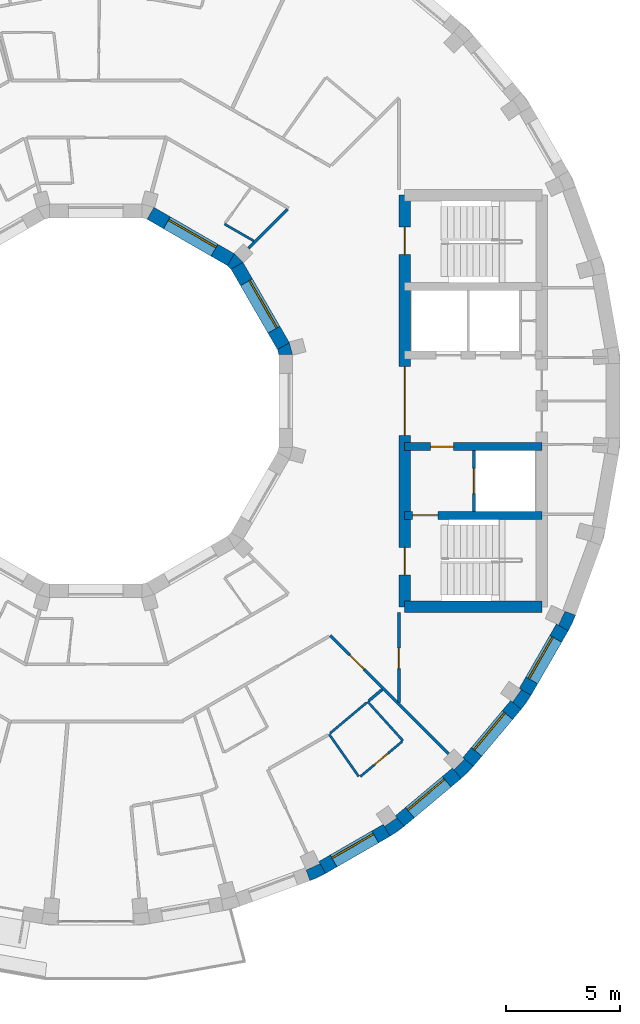
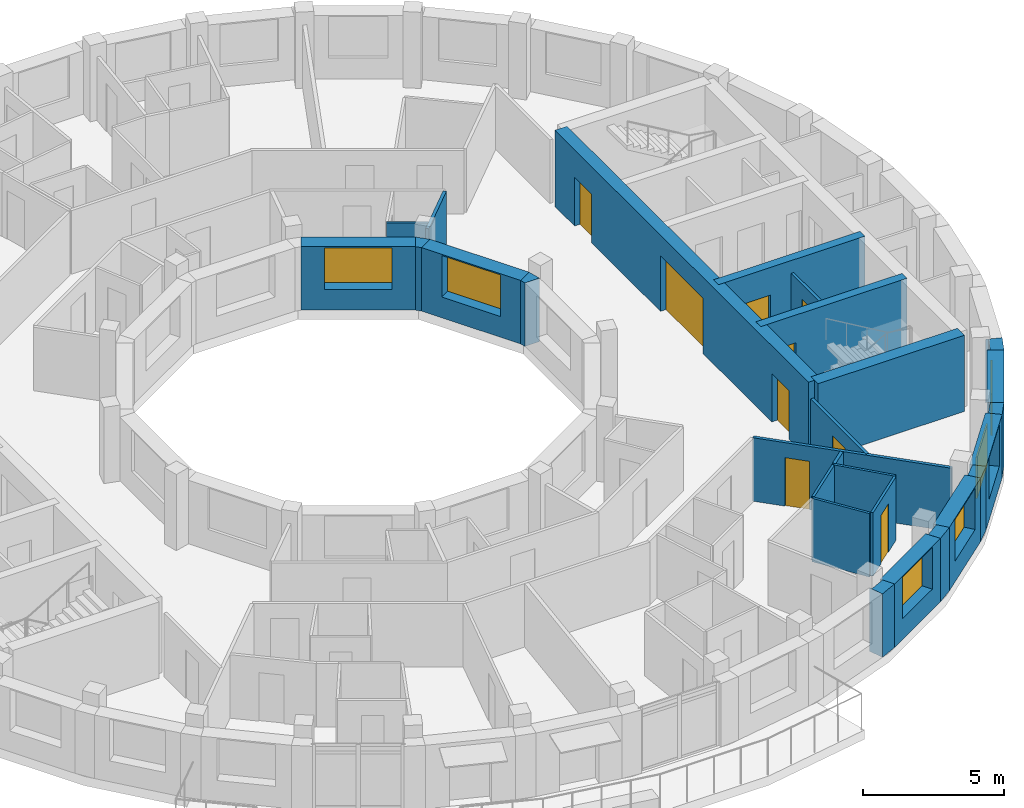
# One storey, part 7 of 12: 27 walls, 9 doors, 6 windows, 15 openings.
"""IFC4 building model written with IfcOpenShell, lengths in metres."""

from ifc_helpers import new_model, si_unit, direction, frame, frame_2d, origin, place, context, subcontext, project, spatial, polyline, rectangle, outline, extrude, material, layer, layer_set, type_object, element, fill, save


model = new_model("IFC4")

# Units and contexts
model_context = context("Model", 3, precision=1e-05, world=origin(), true_north=direction((0.0, 1.0)))
body_context = subcontext(model_context, "Body", "Model", "MODEL_VIEW")
ifc_project = project(units=[si_unit("LENGTHUNIT", "METRE"), si_unit("AREAUNIT", "SQUARE_METRE"), si_unit("VOLUMEUNIT", "CUBIC_METRE"), si_unit("PLANEANGLEUNIT", "RADIAN"), si_unit("MASSUNIT", "GRAM", prefix="KILO")], contexts=[model_context])

# Site, building, storey
site_placement = place(None, origin())
site = spatial("IfcSite", under=ifc_project, at=site_placement, CompositionType="ELEMENT")
building_placement = place(site_placement, origin())
building = spatial("IfcBuilding", under=site, at=building_placement, Name="Saqina Gate Tower", CompositionType="ELEMENT")
storey_placement = place(building_placement, frame((0.0, 0.0, 275.89990234375)))
storey = spatial("IfcBuildingStorey", under=building, at=storey_placement, Name="L79", CompositionType="ELEMENT", Elevation=275.89990234375)

# Walls
ifc_material_1 = material(Name="Brick masonry (buff)", Category="masonry")
wall_type_1 = type_object("IfcWallType", Name="BRICK PIER COPING BUFF", PredefinedType="SOLIDWALL", material=ifc_material_1)
wall_1_placement = place(storey_placement, origin())
element("IfcWall", 1, at=wall_1_placement, inside=storey, type_object=wall_type_1, Name="Pier cap L79 column 30", PredefinedType="SOLIDWALL", context=body_context, shape_type="SweptSolid", body=[
    extrude(outline(polyline([(9.3642578125, -20.974609375), (10.048095703125, -20.65576171875), (9.748291015625, -20.135986328125), (9.79296875, -20.23193359375), (9.203857421875, -20.506591796875), (9.1591796875, -20.410888671875), (9.3642578125, -20.974609375)])), origin(), (0.0, 0.0, 1.0), 2.75),
])
wall_2_placement = place(storey_placement, origin())
element("IfcWall", 2, at=wall_2_placement, inside=storey, type_object=wall_type_1, Name="Pier cap L79 column 31", PredefinedType="SOLIDWALL", context=body_context, shape_type="SweptSolid", body=[
    extrude(outline(polyline([(12.8642578125, -19.02978515625), (13.482421875, -18.59716796875), (13.0966796875, -18.137451171875), (13.157470703125, -18.22412109375), (12.625, -18.596923828125), (12.564208984375, -18.51025390625), (12.8642578125, -19.02978515625)])), origin(), (0.0, 0.0, 1.0), 2.75),
])
wall_3_placement = place(storey_placement, origin())
element("IfcWall", 3, at=wall_3_placement, inside=storey, type_object=wall_type_1, Name="Pier cap L79 column 32", PredefinedType="SOLIDWALL", context=body_context, shape_type="SweptSolid", body=[
    extrude(outline(polyline([(16.5068359375, -15.973388671875), (16.04736328125, -15.587646484375), (16.1220703125, -15.662353515625), (15.662353515625, -16.1220703125), (15.587646484375, -16.04736328125), (15.973388671875, -16.5068359375), (16.5068359375, -15.973388671875)])), origin(), (0.0, 0.0, 1.0), 2.75),
])
wall_4_placement = place(storey_placement, origin())
element("IfcWall", 4, at=wall_4_placement, inside=storey, type_object=wall_type_1, Name="Pier cap L79 column 33", PredefinedType="SOLIDWALL", context=body_context, shape_type="SweptSolid", body=[
    extrude(outline(polyline([(19.02978515625, -12.8642578125), (18.51025390625, -12.564208984375), (18.596923828125, -12.625), (18.22412109375, -13.157470703125), (18.137451171875, -13.0966796875), (18.59716796875, -13.482421875), (19.02978515625, -12.8642578125)])), origin(), (0.0, 0.0, 1.0), 2.75),
])
wall_5_placement = place(storey_placement, origin())
element("IfcWall", 5, at=wall_5_placement, inside=storey, type_object=wall_type_1, Name="Pier cap L79 column 34", PredefinedType="SOLIDWALL", context=body_context, shape_type="SweptSolid", body=[
    extrude(outline(polyline([(20.65576171875, -10.048095703125), (20.974609375, -9.3642578125), (20.410888671875, -9.1591796875), (20.506591796875, -9.203857421875), (20.23193359375, -9.79296875), (20.135986328125, -9.748291015625), (20.65576171875, -10.048095703125)])), origin(), (0.0, 0.0, 1.0), 2.75),
])

# Wall, opening, window
ifc_material_2 = material(Name="Brick masonry (buff)", Category="masonry")
ifc_layer_1 = layer(ifc_material_2, 0.60009765625)
ifc_layer_set_1 = layer_set([ifc_layer_1], Name="FW-BRICK-BUFF")
wall_type_2 = type_object("IfcWallType", Name="FW-BRICK-BUFF", PredefinedType="SOLIDWALL", material=ifc_layer_set_1)
wall_6_placement = place(storey_placement, frame((9.898193359375, -20.39599609375, 0.0), z_axis=(0.0, 0.0, 1.0), x_axis=(0.866016800201, 0.500014901547, 0.0)))
wall_6 = element("IfcWall", 6, at=wall_6_placement, inside=storey, type_object=wall_type_2, Name="Facade wall L79 facet 30", PredefinedType="SOLIDWALL", context=body_context, shape_type="SweptSolid", body=[
    extrude(rectangle(XDim=3.251953125, YDim=0.60009765625, at=frame_2d((1.6259765625, 0.0))), origin(), (0.0, 0.0, 1.0), 2.75),
])
opening_1_placement = place(wall_6_placement, frame((0.57568359375, 0.0, 0.89990234375)))
opening_1 = element("IfcOpeningElement", 7, at=opening_1_placement, cuts=wall_6, Name="Opening G23-W19", PredefinedType="OPENING", context=body_context, shape_type="SweptSolid", body=[
    extrude(rectangle(XDim=2.10009765625, YDim=1.800048828125, at=frame_2d((1.050048828125, 0.89990234375))), frame((0.0, 0.31201171875, 0.0), z_axis=(0.0, -1.0, 0.0), x_axis=(1.0, 0.0, 0.0)), (0.0, 0.0, 1.0), 0.6240234375),
])
ifc_material_3 = material(Name="Aluminium glazing", Category="aluminium")
window_type_1 = type_object("IfcWindowType", Name="WN-D", PartitioningType="SINGLE_PANEL", PredefinedType="WINDOW", material=ifc_material_3)
window_1_placement = place(opening_1_placement, origin())
window_1 = element("IfcWindow", 8, at=window_1_placement, inside=storey, type_object=window_type_1, Name="Window L79 facet 30", OverallHeight=1.800048828125, OverallWidth=2.10009765625, PartitioningType="SINGLE_PANEL", PredefinedType="WINDOW", context=body_context, shape_type="SweptSolid", body=[
    extrude(rectangle(XDim=2.10009765625, YDim=1.800048828125, at=frame_2d((1.050048828125, 0.89990234375))), frame((0.0, 0.179931640625, 0.0), z_axis=(0.0, -1.0, 0.0), x_axis=(1.0, 0.0, 0.0)), (0.0, 0.0, 1.0), 0.06005859375),
])
fill(opening_1, window_1)

wall_7_placement = place(storey_placement, frame((13.28955078125, -18.3671875, 0.0), z_axis=(0.0, 0.0, 1.0), x_axis=(0.766056773982, 0.64277291405, 0.0)))
wall_7 = element("IfcWall", 9, at=wall_7_placement, inside=storey, type_object=wall_type_2, Name="Facade wall L79 facet 31", PredefinedType="SOLIDWALL", context=body_context, shape_type="SweptSolid", body=[
    extrude(rectangle(XDim=3.251708984375, YDim=0.60009765625, at=frame_2d((1.6259765625, 0.0))), origin(), (0.0, 0.0, 1.0), 2.75),
])
opening_2_placement = place(wall_7_placement, frame((0.57568359375, 0.0, 0.89990234375)))
opening_2 = element("IfcOpeningElement", 10, at=opening_2_placement, cuts=wall_7, Name="Opening G23-W20", PredefinedType="OPENING", context=body_context, shape_type="SweptSolid", body=[
    extrude(rectangle(XDim=2.10009765625, YDim=1.800048828125, at=frame_2d((1.050048828125, 0.89990234375))), frame((0.0, 0.31201171875, 0.0), z_axis=(0.0, -1.0, 0.0), x_axis=(1.0, 0.0, 0.0)), (0.0, 0.0, 1.0), 0.6240234375),
])
window_2_placement = place(opening_2_placement, origin())
window_2 = element("IfcWindow", 11, at=window_2_placement, inside=storey, type_object=window_type_1, Name="Window L79 facet 31", OverallHeight=1.800048828125, OverallWidth=2.10009765625, PartitioningType="SINGLE_PANEL", PredefinedType="WINDOW", context=body_context, shape_type="SweptSolid", body=[
    extrude(rectangle(XDim=2.10009765625, YDim=1.800048828125, at=frame_2d((1.050048828125, 0.89990234375))), frame((0.0, 0.179931640625, 0.0), z_axis=(0.0, -1.0, 0.0), x_axis=(1.0, 0.0, 0.0)), (0.0, 0.0, 1.0), 0.06005859375),
])
fill(opening_2, window_2)

wall_8_placement = place(storey_placement, frame((16.277099609375, -15.780517578125, 0.0), z_axis=(0.0, 0.0, 1.0), x_axis=(0.64277291405, 0.766056773982, 0.0)))
wall_8 = element("IfcWall", 12, at=wall_8_placement, inside=storey, type_object=wall_type_2, Name="Facade wall L79 facet 32", PredefinedType="SOLIDWALL", context=body_context, shape_type="SweptSolid", body=[
    extrude(rectangle(XDim=3.251708984375, YDim=0.60009765625, at=frame_2d((1.6259765625, 0.0))), origin(), (0.0, 0.0, 1.0), 2.75),
])
opening_3_placement = place(wall_8_placement, frame((0.57568359375, 0.0, 0.89990234375)))
opening_3 = element("IfcOpeningElement", 13, at=opening_3_placement, cuts=wall_8, Name="Opening G23-W21", PredefinedType="OPENING", context=body_context, shape_type="SweptSolid", body=[
    extrude(rectangle(XDim=2.10009765625, YDim=1.800048828125, at=frame_2d((1.050048828125, 0.89990234375))), frame((0.0, 0.31201171875, 0.0), z_axis=(0.0, -1.0, 0.0), x_axis=(1.0, 0.0, 0.0)), (0.0, 0.0, 1.0), 0.6240234375),
])
window_3_placement = place(opening_3_placement, origin())
window_3 = element("IfcWindow", 14, at=window_3_placement, inside=storey, type_object=window_type_1, Name="Window L79 facet 32", OverallHeight=1.800048828125, OverallWidth=2.10009765625, PartitioningType="SINGLE_PANEL", PredefinedType="WINDOW", context=body_context, shape_type="SweptSolid", body=[
    extrude(rectangle(XDim=2.10009765625, YDim=1.800048828125, at=frame_2d((1.050048828125, 0.89990234375))), frame((0.0, 0.179931640625, 0.0), z_axis=(0.0, -1.0, 0.0), x_axis=(1.0, 0.0, 0.0)), (0.0, 0.0, 1.0), 0.06005859375),
])
fill(opening_3, window_3)

wall_9_placement = place(storey_placement, frame((18.77001953125, -12.71435546875, 0.0), z_axis=(0.0, 0.0, 1.0), x_axis=(0.500014901547, 0.866016800201, 0.0)))
wall_9 = element("IfcWall", 15, at=wall_9_placement, inside=storey, type_object=wall_type_2, Name="Facade wall L79 facet 33", PredefinedType="SOLIDWALL", context=body_context, shape_type="SweptSolid", body=[
    extrude(rectangle(XDim=3.251953125, YDim=0.60009765625, at=frame_2d((1.6259765625, 0.0))), origin(), (0.0, 0.0, 1.0), 2.75),
])
opening_4_placement = place(wall_9_placement, frame((0.57568359375, 0.0, 0.89990234375)))
opening_4 = element("IfcOpeningElement", 16, at=opening_4_placement, cuts=wall_9, Name="Opening G23-W22", PredefinedType="OPENING", context=body_context, shape_type="SweptSolid", body=[
    extrude(rectangle(XDim=2.10009765625, YDim=1.800048828125, at=frame_2d((1.050048828125, 0.89990234375))), frame((0.0, 0.31201171875, 0.0), z_axis=(0.0, -1.0, 0.0), x_axis=(1.0, 0.0, 0.0)), (0.0, 0.0, 1.0), 0.6240234375),
])
window_4_placement = place(opening_4_placement, origin())
window_4 = element("IfcWindow", 17, at=window_4_placement, inside=storey, type_object=window_type_1, Name="Window L79 facet 33", OverallHeight=1.800048828125, OverallWidth=2.10009765625, PartitioningType="SINGLE_PANEL", PredefinedType="WINDOW", context=body_context, shape_type="SweptSolid", body=[
    extrude(rectangle(XDim=2.10009765625, YDim=1.800048828125, at=frame_2d((1.050048828125, 0.89990234375))), frame((0.0, 0.179931640625, 0.0), z_axis=(0.0, -1.0, 0.0), x_axis=(1.0, 0.0, 0.0)), (0.0, 0.0, 1.0), 0.06005859375),
])
fill(opening_4, window_4)

ifc_material_4 = material(Name="Glazed ceramic tile", Category="ceramic")
ifc_layer_2 = layer(ifc_material_4, 0.60009765625)
ifc_layer_set_2 = layer_set([ifc_layer_2], Name="IW-TILE")
wall_type_3 = type_object("IfcWallType", Name="IW-TILE", PredefinedType="SOLIDWALL", material=ifc_layer_set_2)
wall_10_placement = place(storey_placement, frame((8.20263671875, 2.392578125, 0.0), z_axis=(0.0, 0.0, 1.0), x_axis=(-0.499994954979, 0.866028316509, 0.0)))
wall_10 = element("IfcWall", 18, at=wall_10_placement, inside=storey, type_object=wall_type_3, Name="Well wall L79 facet 1", PredefinedType="SOLIDWALL", context=body_context, shape_type="SweptSolid", body=[
    extrude(rectangle(XDim=4.05859375, YDim=0.60009765625, at=frame_2d((2.029296875, 0.0))), origin(), (0.0, 0.0, 1.0), 2.75),
])
opening_5_placement = place(wall_10_placement, frame((0.829345703125, 0.0, 0.89990234375)))
opening_5 = element("IfcOpeningElement", 19, at=opening_5_placement, cuts=wall_10, Name="Opening G23-W23", PredefinedType="OPENING", context=body_context, shape_type="SweptSolid", body=[
    extrude(rectangle(XDim=2.39990234375, YDim=1.800048828125, at=frame_2d((1.199951171875, 0.89990234375))), frame((0.0, 0.31201171875, 0.0), z_axis=(0.0, -1.0, 0.0), x_axis=(1.0, 0.0, 0.0)), (0.0, 0.0, 1.0), 0.6240234375),
])
ifc_material_5 = material(Name="Aluminium glazing", Category="aluminium")
window_type_2 = type_object("IfcWindowType", Name="WN-W", PartitioningType="SINGLE_PANEL", PredefinedType="WINDOW", material=ifc_material_5)
window_5_placement = place(opening_5_placement, origin())
window_5 = element("IfcWindow", 20, at=window_5_placement, inside=storey, type_object=window_type_2, Name="Well window L79 facet 1", OverallHeight=1.800048828125, OverallWidth=2.39990234375, PartitioningType="SINGLE_PANEL", PredefinedType="WINDOW", context=body_context, shape_type="SweptSolid", body=[
    extrude(rectangle(XDim=2.39990234375, YDim=1.800048828125, at=frame_2d((1.199951171875, 0.89990234375))), frame((0.0, -0.119873046875, 0.0), z_axis=(0.0, -1.0, 0.0), x_axis=(1.0, 0.0, 0.0)), (0.0, 0.0, 1.0), 0.06005859375),
])
fill(opening_5, window_5)

wall_11_placement = place(storey_placement, frame((5.907470703125, 6.17333984375, 0.0), z_axis=(0.0, 0.0, 1.0), x_axis=(-0.866028316509, 0.499994954979, 0.0)))
wall_11 = element("IfcWall", 21, at=wall_11_placement, inside=storey, type_object=wall_type_3, Name="Well wall L79 facet 2", PredefinedType="SOLIDWALL", context=body_context, shape_type="SweptSolid", body=[
    extrude(rectangle(XDim=4.05859375, YDim=0.60009765625, at=frame_2d((2.029296875, 0.0))), origin(), (0.0, 0.0, 1.0), 2.75),
])
opening_6_placement = place(wall_11_placement, frame((0.829345703125, 0.0, 0.89990234375)))
opening_6 = element("IfcOpeningElement", 22, at=opening_6_placement, cuts=wall_11, Name="Opening G23-W24", PredefinedType="OPENING", context=body_context, shape_type="SweptSolid", body=[
    extrude(rectangle(XDim=2.39990234375, YDim=1.800048828125, at=frame_2d((1.199951171875, 0.89990234375))), frame((0.0, 0.31201171875, 0.0), z_axis=(0.0, -1.0, 0.0), x_axis=(1.0, 0.0, 0.0)), (0.0, 0.0, 1.0), 0.6240234375),
])
window_6_placement = place(opening_6_placement, origin())
window_6 = element("IfcWindow", 23, at=window_6_placement, inside=storey, type_object=window_type_2, Name="Well window L79 facet 2", OverallHeight=1.800048828125, OverallWidth=2.39990234375, PartitioningType="SINGLE_PANEL", PredefinedType="WINDOW", context=body_context, shape_type="SweptSolid", body=[
    extrude(rectangle(XDim=2.39990234375, YDim=1.800048828125, at=frame_2d((1.199951171875, 0.89990234375))), frame((0.0, -0.119873046875, 0.0), z_axis=(0.0, -1.0, 0.0), x_axis=(1.0, 0.0, 0.0)), (0.0, 0.0, 1.0), 0.06005859375),
])
fill(opening_6, window_6)

# Walls
ifc_material_6 = material(Name="Gypsum board on steel studs, 100 mm", Category="steel")
ifc_layer_3 = layer(ifc_material_6, 0.10009765625)
ifc_layer_set_3 = layer_set([ifc_layer_3], Name="PARTITION 100")
wall_type_4 = type_object("IfcWallType", Name="PARTITION 100", PredefinedType="PARTITIONING", material=ifc_layer_set_3)
wall_12_placement = place(storey_placement, frame((10.199462890625, -14.56689453125, 0.0), z_axis=(0.0, 0.0, 1.0), x_axis=(0.573796659147, -0.818997798503, 0.0)))
element("IfcWall", 24, at=wall_12_placement, inside=storey, type_object=wall_type_4, Name="PARTITION PW3-12", PredefinedType="PARTITIONING", context=body_context, shape_type="SweptSolid", body=[
    extrude(rectangle(XDim=2.254150390625, YDim=0.10009765625, at=frame_2d((1.126953125, 0.0))), origin(), (0.0, 0.0, 1.0), 2.75),
])
wall_13_placement = place(storey_placement, frame((11.886962890625, -13.14794921875, 0.0), z_axis=(0.0, 0.0, 1.0), x_axis=(0.67055763685, -0.741857436211, 0.0)))
element("IfcWall", 25, at=wall_13_placement, inside=storey, type_object=wall_type_4, Name="PARTITION PW3-16", PredefinedType="PARTITIONING", context=body_context, shape_type="SweptSolid", body=[
    extrude(rectangle(XDim=2.301025390625, YDim=0.10009765625, at=frame_2d((1.150390625, 0.0))), origin(), (0.0, 0.0, 1.0), 2.75),
])
wall_14_placement = place(storey_placement, frame((5.6259765625, 7.73291015625, 0.0), z_axis=(0.0, 0.0, 1.0), x_axis=(0.866144391758, -0.499793850129, 0.0)))
element("IfcWall", 26, at=wall_14_placement, inside=storey, type_object=wall_type_4, Name="PARTITION PW3-22", PredefinedType="PARTITIONING", context=body_context, shape_type="SweptSolid", body=[
    extrude(rectangle(XDim=1.47998046875, YDim=0.10009765625, at=frame_2d((0.739990234375, 0.0))), origin(), (0.0, 0.0, 1.0), 2.75),
])

# Wall, opening, door
wall_15_placement = place(storey_placement, frame((11.561279296875, -16.423828125, 0.0), z_axis=(0.0, 0.0, 1.0), x_axis=(0.765894211942, 0.642966605753, 0.0)))
wall_15 = element("IfcWall", 27, at=wall_15_placement, inside=storey, type_object=wall_type_4, Name="PARTITION PW3-37", PredefinedType="PARTITIONING", context=body_context, shape_type="SweptSolid", body=[
    extrude(rectangle(XDim=2.38720703125, YDim=0.10009765625, at=frame_2d((1.193603515625, 0.0))), origin(), (0.0, 0.0, 1.0), 2.75),
])
opening_7_placement = place(wall_15_placement, frame((0.794189453125, 0.0, 0.0)))
opening_7 = element("IfcOpeningElement", 28, at=opening_7_placement, cuts=wall_15, Name="Opening G23-D39", PredefinedType="OPENING", context=body_context, shape_type="SweptSolid", body=[
    extrude(rectangle(XDim=0.800048828125, YDim=2.10009765625, at=frame_2d((0.39990234375, 1.050048828125))), frame((0.0, 0.06201171875, 0.0), z_axis=(0.0, -1.0, 0.0), x_axis=(1.0, 0.0, 0.0)), (0.0, 0.0, 1.0), 0.1240234375),
])
ifc_material_7 = material(Name="Timber door leaf, 800 mm", Category="wood")
door_type_1 = type_object("IfcDoorType", Name="DOOR 800 TIMBER", OperationType="SINGLE_SWING_LEFT", PredefinedType="DOOR", material=ifc_material_7)
door_1_placement = place(opening_7_placement, frame((0.800048828125, 0.0, 0.0), z_axis=(0.0, 0.0, 1.0), x_axis=(-1.0, 0.0, 0.0)))
door_1 = element("IfcDoor", 29, at=door_1_placement, inside=storey, type_object=door_type_1, Name="DOOR G23-D39", OperationType="SINGLE_SWING_LEFT", OverallHeight=2.10009765625, OverallWidth=0.800048828125, PredefinedType="DOOR", context=body_context, shape_type="SweptSolid", body=[
    extrude(rectangle(XDim=0.800048828125, YDim=2.10009765625, at=frame_2d((0.39990234375, 1.050048828125))), frame((0.0, 0.02490234375, 0.0), z_axis=(0.0, -1.0, 0.0), x_axis=(1.0, 0.0, 0.0)), (0.0, 0.0, 1.0), 0.050048828125),
])
fill(opening_7, door_1)

# Wall
wall_16_placement = place(storey_placement, frame((10.245849609375, -14.52490234375, 0.0), z_axis=(0.0, 0.0, 1.0), x_axis=(0.766084035901, 0.642740421895, 0.0)))
element("IfcWall", 30, at=wall_16_placement, inside=storey, type_object=wall_type_4, Name="PARTITION PW3-38", PredefinedType="PARTITIONING", context=body_context, shape_type="SweptSolid", body=[
    extrude(rectangle(XDim=2.09228515625, YDim=0.10009765625, at=frame_2d((1.046142578125, 0.0))), origin(), (0.0, 0.0, 1.0), 2.75),
])

# Wall, opening, door
ifc_material_8 = material(Name="Gypsum board on steel studs, 125 mm, fire rated", Category="steel")
ifc_layer_4 = layer(ifc_material_8, 0.125)
ifc_layer_set_4 = layer_set([ifc_layer_4], Name="PARTITION EI 30 125")
wall_type_5 = type_object("IfcWallType", Name="PARTITION EI 30 125", PredefinedType="PARTITIONING", material=ifc_layer_set_4)
wall_17_placement = place(storey_placement, frame((10.256103515625, -10.256103515625, 0.0), z_axis=(0.0, 0.0, 1.0), x_axis=(0.707106781187, -0.707106781187, 0.0)))
wall_17 = element("IfcWall", 31, at=wall_17_placement, inside=storey, type_object=wall_type_5, Name="PARTITION PW1-10", PredefinedType="PARTITIONING", context=body_context, shape_type="SweptSolid", body=[
    extrude(rectangle(XDim=7.310791015625, YDim=0.125, at=frame_2d((3.6552734375, 0.0))), origin(), (0.0, 0.0, 1.0), 2.75),
])
opening_8_placement = place(wall_17_placement, frame((1.187744140625, 0.0, 0.0)))
opening_8 = element("IfcOpeningElement", 32, at=opening_8_placement, cuts=wall_17, Name="Opening G23-D40", PredefinedType="OPENING", context=body_context, shape_type="SweptSolid", body=[
    extrude(rectangle(XDim=0.89990234375, YDim=2.10009765625, at=frame_2d((0.449951171875, 1.050048828125))), frame((0.0, 0.074462890625, 0.0), z_axis=(0.0, -1.0, 0.0), x_axis=(1.0, 0.0, 0.0)), (0.0, 0.0, 1.0), 0.14892578125),
])
ifc_material_9 = material(Name="Fire door leaf EI 30, 900 mm")
door_type_2 = type_object("IfcDoorType", Name="DOOR 900 EI 30", OperationType="SINGLE_SWING_LEFT", PredefinedType="DOOR", material=ifc_material_9)
door_2_placement = place(opening_8_placement, frame((0.89990234375, 0.0, 0.0), z_axis=(0.0, 0.0, 1.0), x_axis=(-1.0, 0.0, 0.0)))
door_2 = element("IfcDoor", 33, at=door_2_placement, inside=storey, type_object=door_type_2, Name="DOOR G23-D40", OperationType="SINGLE_SWING_RIGHT", OverallHeight=2.10009765625, OverallWidth=0.89990234375, PredefinedType="DOOR", context=body_context, shape_type="SweptSolid", body=[
    extrude(rectangle(XDim=0.89990234375, YDim=2.10009765625, at=frame_2d((0.449951171875, 1.050048828125))), frame((0.0, 0.02490234375, 0.0), z_axis=(0.0, -1.0, 0.0), x_axis=(1.0, 0.0, 0.0)), (0.0, 0.0, 1.0), 0.050048828125),
])
fill(opening_8, door_2)

# Walls
wall_18_placement = place(storey_placement, frame((11.92626953125, -13.114990234375, 0.0), z_axis=(0.0, 0.0, 1.0), x_axis=(0.765365590348, 0.643595768407, 0.0)))
element("IfcWall", 34, at=wall_18_placement, inside=storey, type_object=wall_type_5, Name="PARTITION PW1-30", PredefinedType="PARTITIONING", context=body_context, shape_type="SweptSolid", body=[
    extrude(rectangle(XDim=0.780029296875, YDim=0.125, at=frame_2d((0.39013671875, 0.0))), origin(), (0.0, 0.0, 1.0), 2.75),
])
wall_19_placement = place(storey_placement, frame((6.6767578125, 6.6767578125, 0.0), z_axis=(0.0, 0.0, 1.0), x_axis=(0.707106781187, 0.707106781187, 0.0)))
element("IfcWall", 35, at=wall_19_placement, inside=storey, type_object=wall_type_5, Name="PARTITION PW1-34", PredefinedType="PARTITIONING", context=body_context, shape_type="SweptSolid", body=[
    extrude(rectangle(XDim=2.411376953125, YDim=0.125, at=frame_2d((1.20556640625, 0.0))), origin(), (0.0, 0.0, 1.0), 2.75),
])

# Wall, opening, door
wall_20_placement = place(storey_placement, frame((13.25, -13.1875, 0.0), z_axis=(0.0, 0.0, 1.0), x_axis=(0.0, 1.0, 0.0)))
wall_20 = element("IfcWall", 36, at=wall_20_placement, inside=storey, type_object=wall_type_5, Name="PARTITION PW1-39", PredefinedType="PARTITIONING", context=body_context, shape_type="SweptSolid", body=[
    extrude(rectangle(XDim=3.9375, YDim=0.125, at=frame_2d((1.96875, 0.0))), origin(), (0.0, 0.0, 1.0), 2.75),
])
opening_9_placement = place(wall_20_placement, frame((1.487548828125, 0.0, 0.0)))
opening_9 = element("IfcOpeningElement", 37, at=opening_9_placement, cuts=wall_20, Name="Opening G23-D41", PredefinedType="OPENING", context=body_context, shape_type="SweptSolid", body=[
    extrude(rectangle(XDim=0.89990234375, YDim=2.10009765625, at=frame_2d((0.449951171875, 1.050048828125))), frame((0.0, 0.074462890625, 0.0), z_axis=(0.0, -1.0, 0.0), x_axis=(1.0, 0.0, 0.0)), (0.0, 0.0, 1.0), 0.14892578125),
])
door_3_placement = place(opening_9_placement, frame((0.89990234375, 0.0, 0.0), z_axis=(0.0, 0.0, 1.0), x_axis=(-1.0, 0.0, 0.0)))
door_3 = element("IfcDoor", 38, at=door_3_placement, inside=storey, type_object=door_type_2, Name="DOOR G23-D41", OperationType="SINGLE_SWING_RIGHT", OverallHeight=2.10009765625, OverallWidth=0.89990234375, PredefinedType="DOOR", context=body_context, shape_type="SweptSolid", body=[
    extrude(rectangle(XDim=0.89990234375, YDim=2.10009765625, at=frame_2d((0.449951171875, 1.050048828125))), frame((0.0, 0.02490234375, 0.0), z_axis=(0.0, -1.0, 0.0), x_axis=(1.0, 0.0, 0.0)), (0.0, 0.0, 1.0), 0.050048828125),
])
fill(opening_9, door_3)

ifc_material_10 = material(Name="Autoclaved aerated concrete block", Category="concrete")
ifc_layer_5 = layer(ifc_material_10, 0.1201171875)
ifc_layer_set_5 = layer_set([ifc_layer_5], Name="SHAFT PARTITION")
wall_type_6 = type_object("IfcWallType", Name="SHAFT PARTITION", PredefinedType="PARTITIONING", material=ifc_layer_set_5)
wall_21_placement = place(storey_placement, frame((16.530029296875, -4.824951171875, 0.0), z_axis=(0.0, 0.0, 1.0), x_axis=(0.0, 1.0, 0.0)))
wall_21 = element("IfcWall", 39, at=wall_21_placement, inside=storey, type_object=wall_type_6, Name="L79-CP-E09", PredefinedType="PARTITIONING", context=body_context, shape_type="SweptSolid", body=[
    extrude(rectangle(XDim=2.64990234375, YDim=0.1201171875, at=frame_2d((1.324951171875, 0.0))), origin(), (0.0, 0.0, 1.0), 2.75),
])
opening_10_placement = place(wall_21_placement, frame((0.77490234375, 0.0, 0.0)))
opening_10 = element("IfcOpeningElement", 40, at=opening_10_placement, cuts=wall_21, Name="Opening G23-LD3", PredefinedType="OPENING", context=body_context, shape_type="SweptSolid", body=[
    extrude(rectangle(XDim=1.10009765625, YDim=2.10009765625, at=frame_2d((0.550048828125, 1.050048828125))), frame((0.0, 0.072021484375, 0.0), z_axis=(0.0, -1.0, 0.0), x_axis=(1.0, 0.0, 0.0)), (0.0, 0.0, 1.0), 0.14404296875),
])
ifc_material_11 = material(Name="Stainless steel", Category="steel")
door_type_3 = type_object("IfcDoorType", Name="LANDING DOOR", OperationType="DOUBLE_DOOR_SLIDING", PredefinedType="DOOR", material=ifc_material_11)
door_4_placement = place(opening_10_placement, origin())
door_4 = element("IfcDoor", 41, at=door_4_placement, inside=storey, type_object=door_type_3, Name="LANDING DOOR FF1", OperationType="DOUBLE_DOOR_SLIDING", OverallHeight=2.10009765625, OverallWidth=1.10009765625, PredefinedType="DOOR", context=body_context, shape_type="SweptSolid", body=[
    extrude(rectangle(XDim=1.10009765625, YDim=2.10009765625, at=frame_2d((0.550048828125, 1.050048828125))), frame((0.0, 0.02490234375, 0.0), z_axis=(0.0, -1.0, 0.0), x_axis=(1.0, 0.0, 0.0)), (0.0, 0.0, 1.0), 0.050048828125),
])
fill(opening_10, door_4)

ifc_material_12 = material(Name="Concrete C60/75", Category="concrete")
ifc_layer_6 = layer(ifc_material_12, 0.35009765625)
ifc_layer_set_6 = layer_set([ifc_layer_6], Name="Concrete C60/75")
wall_type_7 = type_object("IfcWallType", Name="STR-CORE WALL-D-I", PredefinedType="SHEAR", material=ifc_layer_set_6)
wall_22_placement = place(storey_placement, frame((13.5, -5.0, 0.0), z_axis=(0.0, 0.0, 1.0), x_axis=(1.0, 0.0, 0.0)))
wall_22 = element("IfcWall", 42, at=wall_22_placement, inside=storey, type_object=wall_type_7, Name="CORE WALL L79 E-X2", PredefinedType="SHEAR", context=body_context, shape_type="SweptSolid", body=[
    extrude(rectangle(XDim=6.0, YDim=0.35009765625, at=frame_2d((3.0, 0.0))), origin(), (0.0, 0.0, 1.0), 3.300048828125),
])
opening_11_placement = place(wall_22_placement, frame((0.35009765625, 0.0, 0.0)))
opening_11 = element("IfcOpeningElement", 43, at=opening_11_placement, cuts=wall_22, Name="Opening G23-D97", PredefinedType="OPENING", context=body_context, shape_type="SweptSolid", body=[
    extrude(rectangle(XDim=1.10009765625, YDim=2.10009765625, at=frame_2d((0.550048828125, 1.050048828125))), frame((0.0, 0.18701171875, 0.0), z_axis=(0.0, -1.0, 0.0), x_axis=(1.0, 0.0, 0.0)), (0.0, 0.0, 1.0), 0.3740234375),
])
ifc_material_13 = material(Name="Steel", Category="steel")
door_type_4 = type_object("IfcDoorType", Name="FIRE LOBBY DOOR EI 60 WIDE", OperationType="SINGLE_SWING_LEFT", PredefinedType="DOOR", material=ifc_material_13)
door_5_placement = place(opening_11_placement, frame((1.10009765625, 0.0, 0.0), z_axis=(0.0, 0.0, 1.0), x_axis=(-1.0, 0.0, 0.0)))
door_5 = element("IfcDoor", 44, at=door_5_placement, inside=storey, type_object=door_type_4, Name="L79-CD-E08", OperationType="SINGLE_SWING_RIGHT", OverallHeight=2.10009765625, OverallWidth=1.10009765625, PredefinedType="DOOR", context=body_context, shape_type="SweptSolid", body=[
    extrude(rectangle(XDim=1.10009765625, YDim=2.10009765625, at=frame_2d((0.550048828125, 1.050048828125))), frame((0.0, 0.02490234375, 0.0), z_axis=(0.0, -1.0, 0.0), x_axis=(1.0, 0.0, 0.0)), (0.0, 0.0, 1.0), 0.050048828125),
])
fill(opening_11, door_5)

wall_23_placement = place(storey_placement, frame((13.5, -2.0, 0.0), z_axis=(0.0, 0.0, 1.0), x_axis=(1.0, 0.0, 0.0)))
wall_23 = element("IfcWall", 45, at=wall_23_placement, inside=storey, type_object=wall_type_7, Name="CORE WALL L79 E-L2", PredefinedType="SHEAR", context=body_context, shape_type="SweptSolid", body=[
    extrude(rectangle(XDim=6.0, YDim=0.35009765625, at=frame_2d((3.0, 0.0))), origin(), (0.0, 0.0, 1.0), 3.300048828125),
])
opening_12_placement = place(wall_23_placement, frame((1.139892578125, 0.0, 0.0)))
opening_12 = element("IfcOpeningElement", 46, at=opening_12_placement, cuts=wall_23, Name="Opening G23-D91", PredefinedType="OPENING", context=body_context, shape_type="SweptSolid", body=[
    extrude(rectangle(XDim=1.0, YDim=2.10009765625, at=frame_2d((0.5, 1.050048828125))), frame((0.0, 0.18701171875, 0.0), z_axis=(0.0, -1.0, 0.0), x_axis=(1.0, 0.0, 0.0)), (0.0, 0.0, 1.0), 0.3740234375),
])
ifc_material_14 = material(Name="Steel", Category="steel")
door_type_5 = type_object("IfcDoorType", Name="FIRE LOBBY DOOR EI 60", OperationType="SINGLE_SWING_LEFT", PredefinedType="DOOR", material=ifc_material_14)
door_6_placement = place(opening_12_placement, origin())
door_6 = element("IfcDoor", 47, at=door_6_placement, inside=storey, type_object=door_type_5, Name="L79-CD-E02", OperationType="SINGLE_SWING_LEFT", OverallHeight=2.10009765625, OverallWidth=1.0, PredefinedType="DOOR", context=body_context, shape_type="SweptSolid", body=[
    extrude(rectangle(XDim=1.0, YDim=2.10009765625, at=frame_2d((0.5, 1.050048828125))), frame((0.0, 0.02490234375, 0.0), z_axis=(0.0, -1.0, 0.0), x_axis=(1.0, 0.0, 0.0)), (0.0, 0.0, 1.0), 0.050048828125),
])
fill(opening_12, door_6)

# Wall, openings, doors
ifc_material_15 = material(Name="Concrete C60/75", Category="concrete")
ifc_layer_7 = layer(ifc_material_15, 0.5)
ifc_layer_set_7 = layer_set([ifc_layer_7], Name="Concrete C60/75")
wall_type_8 = type_object("IfcWallType", Name="STR-CORE WALL-D-O", PredefinedType="SHEAR", material=ifc_layer_set_7)
wall_24_placement = place(storey_placement, frame((13.5, -9.0, 0.0), z_axis=(0.0, 0.0, 1.0), x_axis=(0.0, 1.0, 0.0)))
wall_24 = element("IfcWall", 48, at=wall_24_placement, inside=storey, type_object=wall_type_8, Name="CORE WALL L79 E-W1", PredefinedType="SHEAR", context=body_context, shape_type="SweptSolid", body=[
    extrude(rectangle(XDim=18.0, YDim=0.5, at=frame_2d((9.0, 0.0))), origin(), (0.0, 0.0, 1.0), 3.300048828125),
])
opening_13_placement = place(wall_24_placement, frame((15.39990234375, 0.0, 0.0)))
opening_13 = element("IfcOpeningElement", 49, at=opening_13_placement, cuts=wall_24, Name="Opening G23-D98", PredefinedType="OPENING", context=body_context, shape_type="SweptSolid", body=[
    extrude(rectangle(XDim=1.199951171875, YDim=2.10009765625, at=frame_2d((0.60009765625, 1.050048828125))), frame((0.0, 0.261962890625, 0.0), z_axis=(0.0, -1.0, 0.0), x_axis=(1.0, 0.0, 0.0)), (0.0, 0.0, 1.0), 0.52392578125),
])
opening_14_placement = place(wall_24_placement, frame((1.39990234375, 0.0, 0.0)))
opening_14 = element("IfcOpeningElement", 50, at=opening_14_placement, cuts=wall_24, Name="Opening G23-D99", PredefinedType="OPENING", context=body_context, shape_type="SweptSolid", body=[
    extrude(rectangle(XDim=1.199951171875, YDim=2.10009765625, at=frame_2d((0.60009765625, 1.050048828125))), frame((0.0, 0.261962890625, 0.0), z_axis=(0.0, -1.0, 0.0), x_axis=(1.0, 0.0, 0.0)), (0.0, 0.0, 1.0), 0.52392578125),
])
opening_15_placement = place(wall_24_placement, frame((7.5, 0.0, 0.0)))
opening_15 = element("IfcOpeningElement", 51, at=opening_15_placement, cuts=wall_24, Name="Opening G23-D100", PredefinedType="OPENING", context=body_context, shape_type="SweptSolid", body=[
    extrude(rectangle(XDim=3.0, YDim=2.39990234375, at=frame_2d((1.5, 1.199951171875))), frame((0.0, 0.261962890625, 0.0), z_axis=(0.0, -1.0, 0.0), x_axis=(1.0, 0.0, 0.0)), (0.0, 0.0, 1.0), 0.52392578125),
])
ifc_material_16 = material(Name="Steel", Category="steel")
door_type_6 = type_object("IfcDoorType", Name="FIRE DOOR EI 60", OperationType="SINGLE_SWING_LEFT", PredefinedType="DOOR", material=ifc_material_16)
door_7_placement = place(opening_13_placement, frame((1.199951171875, 0.0, 0.0), z_axis=(0.0, 0.0, 1.0), x_axis=(-1.0, 0.0, 0.0)))
door_7 = element("IfcDoor", 52, at=door_7_placement, inside=storey, type_object=door_type_6, Name="L79-CD-E09", OperationType="SINGLE_SWING_LEFT", OverallHeight=2.10009765625, OverallWidth=1.199951171875, PredefinedType="DOOR", context=body_context, shape_type="SweptSolid", body=[
    extrude(rectangle(XDim=1.199951171875, YDim=2.10009765625, at=frame_2d((0.60009765625, 1.050048828125))), frame((0.0, 0.02490234375, 0.0), z_axis=(0.0, -1.0, 0.0), x_axis=(1.0, 0.0, 0.0)), (0.0, 0.0, 1.0), 0.050048828125),
])
fill(opening_13, door_7)
door_8_placement = place(opening_14_placement, frame((1.199951171875, 0.0, 0.0), z_axis=(0.0, 0.0, 1.0), x_axis=(-1.0, 0.0, 0.0)))
door_8 = element("IfcDoor", 53, at=door_8_placement, inside=storey, type_object=door_type_6, Name="L79-CD-E10", OperationType="SINGLE_SWING_RIGHT", OverallHeight=2.10009765625, OverallWidth=1.199951171875, PredefinedType="DOOR", context=body_context, shape_type="SweptSolid", body=[
    extrude(rectangle(XDim=1.199951171875, YDim=2.10009765625, at=frame_2d((0.60009765625, 1.050048828125))), frame((0.0, 0.02490234375, 0.0), z_axis=(0.0, -1.0, 0.0), x_axis=(1.0, 0.0, 0.0)), (0.0, 0.0, 1.0), 0.050048828125),
])
fill(opening_14, door_8)
ifc_material_17 = material(Name="Steel and fire-resisting glass", Category="steel")
door_type_7 = type_object("IfcDoorType", Name="LOBBY SCREEN DOOR", OperationType="DOUBLE_DOOR_SLIDING", PredefinedType="DOOR", material=ifc_material_17)
door_9_placement = place(opening_15_placement, origin())
door_9 = element("IfcDoor", 54, at=door_9_placement, inside=storey, type_object=door_type_7, Name="L79-CD-E11", OperationType="DOUBLE_DOOR_SLIDING", OverallHeight=2.39990234375, OverallWidth=3.0, PredefinedType="DOOR", context=body_context, shape_type="SweptSolid", body=[
    extrude(rectangle(XDim=3.0, YDim=2.39990234375, at=frame_2d((1.5, 1.199951171875))), frame((0.0, 0.02490234375, 0.0), z_axis=(0.0, -1.0, 0.0), x_axis=(1.0, 0.0, 0.0)), (0.0, 0.0, 1.0), 0.050048828125),
])
fill(opening_15, door_9)

# Walls
wall_25_placement = place(storey_placement, frame((13.5, -9.0, 0.0), z_axis=(0.0, 0.0, 1.0), x_axis=(1.0, 0.0, 0.0)))
element("IfcWall", 55, at=wall_25_placement, inside=storey, type_object=wall_type_8, Name="CORE WALL L79 E-SE", PredefinedType="SHEAR", context=body_context, shape_type="SweptSolid", body=[
    extrude(rectangle(XDim=6.0, YDim=0.5, at=frame_2d((3.0, 0.0))), origin(), (0.0, 0.0, 1.0), 3.300048828125),
])
ifc_material_18 = material(Name="Glazed ceramic tile", Category="ceramic")
wall_type_9 = type_object("IfcWallType", Name="TILE PIER COPING", PredefinedType="SOLIDWALL", material=ifc_material_18)
wall_26_placement = place(storey_placement, origin())
element("IfcWall", 56, at=wall_26_placement, inside=storey, type_object=wall_type_9, Name="Well pier cap L79 column 1", PredefinedType="SOLIDWALL", context=body_context, shape_type="SweptSolid", body=[
    extrude(outline(polyline([(8.46240234375, 2.54248046875), (7.94287109375, 2.242431640625), (8.0, 2.029296875), (8.60009765625, 2.029296875), (8.46240234375, 2.54248046875)])), origin(), (0.0, 0.0, 1.0), 2.75),
])
wall_27_placement = place(storey_placement, origin())
element("IfcWall", 57, at=wall_27_placement, inside=storey, type_object=wall_type_9, Name="Well pier cap L79 column 2", PredefinedType="SOLIDWALL", context=body_context, shape_type="SweptSolid", body=[
    extrude(outline(polyline([(6.0576171875, 6.43310546875), (5.757568359375, 5.91357421875), (5.91357421875, 5.757568359375), (6.43310546875, 6.0576171875), (6.0576171875, 6.43310546875)])), origin(), (0.0, 0.0, 1.0), 2.75),
])

save(model, "model.ifc")
